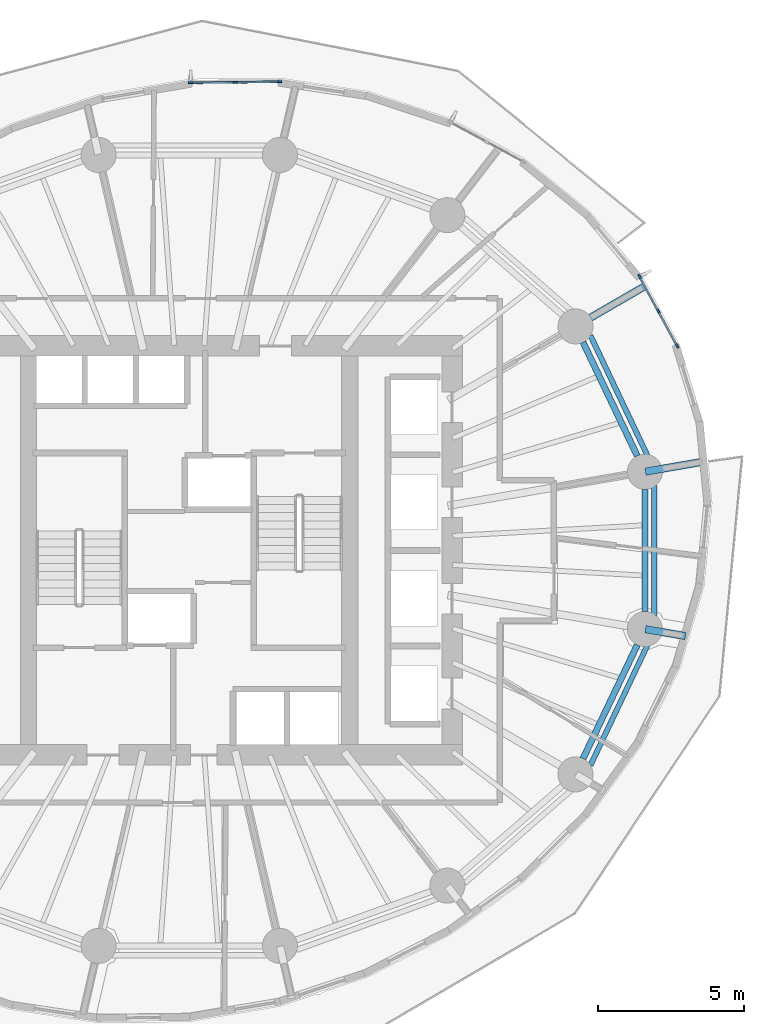
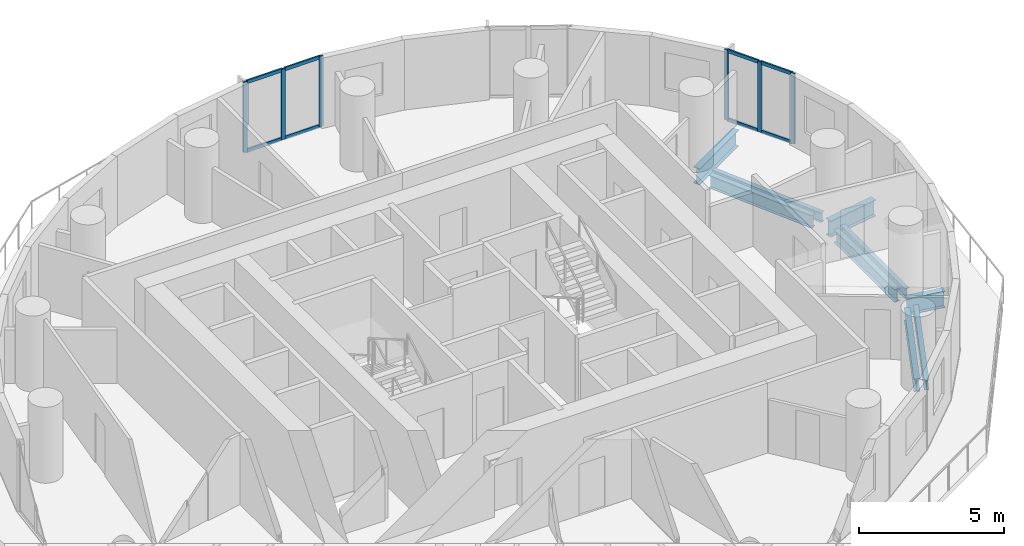
# One storey, part 5 of 14: 14 members, 9 beams, 2 elements without a shape of their own.
"""IFC4 building model written with IfcOpenShell, lengths in metres."""

from ifc_helpers import new_model, si_unit, direction, frame, origin, origin_2d, place, context, subcontext, project, spatial, rectangle, i_section, extrude, material, material_profile, profile_set, type_object, element, aggregate, save


model = new_model("IFC4")

# Units and contexts
model_context = context("Model", 3, precision=1e-05, world=origin(), true_north=direction((0.0, 1.0)))
body_context = subcontext(model_context, "Body", "Model", "MODEL_VIEW")
ifc_project = project(units=[si_unit("LENGTHUNIT", "METRE"), si_unit("AREAUNIT", "SQUARE_METRE"), si_unit("VOLUMEUNIT", "CUBIC_METRE"), si_unit("PLANEANGLEUNIT", "RADIAN"), si_unit("MASSUNIT", "GRAM", prefix="KILO")], contexts=[model_context])

# Site, building, storey
site_placement = place(None, origin())
site = spatial("IfcSite", under=ifc_project, at=site_placement, CompositionType="ELEMENT")
building_placement = place(site_placement, origin())
building = spatial("IfcBuilding", under=site, at=building_placement, Name="Veldorim Arch Residences", CompositionType="ELEMENT")
storey_placement = place(building_placement, frame((0.0, 0.0, 99.679931640625)))
storey = spatial("IfcBuildingStorey", under=building, at=storey_placement, Name="L29", CompositionType="ELEMENT", Elevation=99.679931640625)

# Beams
ifc_material_1 = material(Name="Steel S355", Category="steel")
ifc_material_profile_1 = material_profile(ifc_material_1, i_section(OverallWidth=0.2119140625, OverallDepth=0.54443359375, WebThickness=0.0126953125, FlangeThickness=0.021240234375, at=origin_2d()), Name="UB533x210x122")
ifc_profile_set_1 = profile_set([ifc_material_profile_1], Name="Steel S355")
beam_type_1 = type_object("IfcBeamType", Name="Structural Steel Beam UB533x210x122", PredefinedType="BEAM", material=ifc_profile_set_1)
for number, where, z_axis, x_axis, name in (
    (1, (47.336181640625, 27.233642578125, -0.51220703125), (-0.430720154476, 0.902485539235, 0.0), (-0.902485539235, -0.430720154476, 0.0), "L29 perimeter ring tie beam 01"),
    (2, (45.478759765625, 16.87451171875, -0.51220703125), (0.430720154476, 0.902485539235, 0.0), (-0.902485539235, 0.430720154476, 0.0), "L29 perimeter ring tie beam 15"),
):
    element("IfcBeam", number, at=place(storey_placement, frame(where, z_axis=z_axis, x_axis=x_axis)), inside=storey, type_object=beam_type_1, Name=name, PredefinedType="BEAM", context=body_context, shape_type="SweptSolid", body=[
        extrude(i_section(OverallWidth=0.2119140625, OverallDepth=0.54443359375, WebThickness=0.0126953125, FlangeThickness=0.021240234375, at=origin_2d()), origin(), (0.0, 0.0, 1.0), 4.312255859375),
    ])
beam_1_placement = place(storey_placement, frame((47.594482421875, 21.90771484375, -0.51220703125), z_axis=(0.0, 1.0, 0.0), x_axis=(-1.0, 0.0, 0.0)))
element("IfcBeam", 3, at=beam_1_placement, inside=storey, type_object=beam_type_1, Name="L29 perimeter ring tie beam 16", PredefinedType="BEAM", context=body_context, shape_type="SweptSolid", body=[
    extrude(i_section(OverallWidth=0.2119140625, OverallDepth=0.54443359375, WebThickness=0.0126953125, FlangeThickness=0.021240234375, at=origin_2d()), origin(), (0.0, 0.0, 1.0), 4.1845703125),
])
ifc_material_2 = material(Name="Steel S355", Category="steel")
ifc_material_profile_2 = material_profile(ifc_material_2, i_section(OverallWidth=0.25439453125, OverallDepth=0.6875, WebThickness=0.01318359375, FlangeThickness=0.02099609375, at=origin_2d()), Name="UB686x254x152")
ifc_profile_set_2 = profile_set([ifc_material_profile_2], Name="Steel S355")
beam_type_2 = type_object("IfcBeamType", Name="Structural Steel GIRDER UB686x254x152", PredefinedType="USERDEFINED", material=ifc_profile_set_2)
beam_2_placement = place(storey_placement, frame((47.6142578125, 26.695556640625, -0.583740234375), z_axis=(0.985413092061, 0.170179428821, 0.0), x_axis=(-0.170179428821, 0.985413092061, 0.0)))
element("IfcBeam", 4, at=beam_2_placement, inside=storey, type_object=beam_type_2, Name="L29 radial edge cantilever girder 01", ObjectType="GIRDER", PredefinedType="USERDEFINED", context=body_context, shape_type="SweptSolid", body=[
    extrude(i_section(OverallWidth=0.25439453125, OverallDepth=0.6875, WebThickness=0.01318359375, FlangeThickness=0.02099609375, at=origin_2d()), origin(), (0.0, 0.0, 1.0), 2.0400390625),
])
beam_3_placement = place(storey_placement, frame((45.23779296875, 31.677001953125, -0.583740234375), z_axis=(0.865074923998, 0.50164267748, 0.0), x_axis=(-0.50164267748, 0.865074923998, 0.0)))
element("IfcBeam", 5, at=beam_3_placement, inside=storey, type_object=beam_type_2, Name="L29 radial edge cantilever girder 02", ObjectType="GIRDER", PredefinedType="USERDEFINED", context=body_context, shape_type="SweptSolid", body=[
    extrude(i_section(OverallWidth=0.25439453125, OverallDepth=0.6875, WebThickness=0.01318359375, FlangeThickness=0.02099609375, at=origin_2d()), origin(), (0.0, 0.0, 1.0), 2.713134765625),
])
beam_4_placement = place(storey_placement, frame((47.6142578125, 21.304443359375, -0.583740234375), z_axis=(0.985409418186, -0.170200700791, 0.0), x_axis=(0.170200700791, 0.985409418186, 0.0)))
element("IfcBeam", 6, at=beam_4_placement, inside=storey, type_object=beam_type_2, Name="L29 radial edge cantilever girder 16", ObjectType="GIRDER", PredefinedType="USERDEFINED", context=body_context, shape_type="SweptSolid", body=[
    extrude(i_section(OverallWidth=0.25439453125, OverallDepth=0.6875, WebThickness=0.01318359375, FlangeThickness=0.02099609375, at=origin_2d()), origin(), (0.0, 0.0, 1.0), 1.391357421875),
])
ifc_material_3 = material(Name="Steel S355", Category="steel")
ifc_material_profile_3 = material_profile(ifc_material_3, i_section(OverallWidth=0.1787109375, OverallDepth=0.409423828125, WebThickness=0.0087890625, FlangeThickness=0.014404296875, at=origin_2d()), Name="UB406x178x67")
ifc_profile_set_3 = profile_set([ifc_material_profile_3], Name="Steel S355")
beam_type_3 = type_object("IfcBeamType", Name="Structural Steel Spandrel UB406x178x67", PredefinedType="SPANDREL", material=ifc_profile_set_3)
for number, where, z_axis, x_axis, name in (
    (7, (47.693115234375, 27.225341796875, -0.464599609375), (-0.428857472204, 0.903372165021, 0.0), (-0.903372165021, -0.428857472204, 0.0), "L29 perimeter chord spandrel beam 01"),
    (8, (45.732421875, 16.64453125, -0.464599609375), (0.428857472204, 0.903372165021, 0.0), (-0.903372165021, 0.428857472204, 0.0), "L29 perimeter chord spandrel beam 15"),
):
    element("IfcBeam", number, at=place(storey_placement, frame(where, z_axis=z_axis, x_axis=x_axis)), inside=storey, type_object=beam_type_3, Name=name, PredefinedType="SPANDREL", context=body_context, shape_type="SweptSolid", body=[
        extrude(i_section(OverallWidth=0.1787109375, OverallDepth=0.409423828125, WebThickness=0.0087890625, FlangeThickness=0.014404296875, at=origin_2d()), origin(), (0.0, 0.0, 1.0), 4.572021484375),
    ])
beam_5_placement = place(storey_placement, frame((47.919677734375, 21.77978515625, -0.464599609375), z_axis=(0.0, 1.0, 0.0), x_axis=(-1.0, 0.0, 0.0)))
element("IfcBeam", 9, at=beam_5_placement, inside=storey, type_object=beam_type_3, Name="L29 perimeter chord spandrel beam 16", PredefinedType="SPANDREL", context=body_context, shape_type="SweptSolid", body=[
    extrude(i_section(OverallWidth=0.1787109375, OverallDepth=0.409423828125, WebThickness=0.0087890625, FlangeThickness=0.014404296875, at=origin_2d()), origin(), (0.0, 0.0, 1.0), 4.4404296875),
])

# Curtain wall, members
ifc_material_4 = material(Name="Aluminium", Category="aluminium")
curtain_wall_type = type_object("IfcCurtainWallType", Name="Zone 2 Solar-Control Unitised Curtain Wall", PredefinedType="NOTDEFINED", material=ifc_material_4)
curtain_wall_1_placement = place(storey_placement, origin())
curtain_wall_1 = element("IfcCurtainWall", 10, at=curtain_wall_1_placement, inside=storey, type_object=curtain_wall_type, Name="L29 unitised curtain wall bay 01", PredefinedType="NOTDEFINED")
ifc_material_5 = material(Name="Aluminium", Category="aluminium")
ifc_material_profile_4 = material_profile(ifc_material_5, rectangle(XDim=0.06494140625, YDim=0.1650390625, at=origin_2d()), Name="ALU_MUL_65x165")
ifc_profile_set_4 = profile_set([ifc_material_profile_4], Name="Aluminium")
member_type_1 = type_object("IfcMemberType", Name="Zone 2 Solar-Control Unitised Curtain Wall Mullion 65x165", PredefinedType="MULLION", material=ifc_profile_set_4)
member_1_placement = place(storey_placement, frame((47.416015625, 33.37109375, 0.0), z_axis=(0.0, 0.0, 1.0), x_axis=(0.87936599291, 0.4761464591, 0.0)))
member_1 = element("IfcMember", 11, at=member_1_placement, type_object=member_type_1, Name="CW-Z2 mullion 1", PredefinedType="MULLION", context=body_context, shape_type="SweptSolid", body=[
    extrude(rectangle(XDim=0.06494140625, YDim=0.1650390625, at=origin_2d()), origin(), (0.0, 0.0, 1.0), 2.9599609375),
])
member_2_placement = place(storey_placement, frame((48.056884765625, 32.187255859375, 0.0), z_axis=(0.0, 0.0, 1.0), x_axis=(0.87936599291, 0.4761464591, 0.0)))
member_2 = element("IfcMember", 12, at=member_2_placement, type_object=member_type_1, Name="CW-Z2 mullion 2", PredefinedType="MULLION", context=body_context, shape_type="SweptSolid", body=[
    extrude(rectangle(XDim=0.06494140625, YDim=0.1650390625, at=origin_2d()), origin(), (0.0, 0.0, 1.0), 2.9599609375),
])
member_3_placement = place(storey_placement, frame((48.697998046875, 31.003173828125, 0.0), z_axis=(0.0, 0.0, 1.0), x_axis=(0.87936599291, 0.4761464591, 0.0)))
member_3 = element("IfcMember", 13, at=member_3_placement, type_object=member_type_1, Name="CW-Z2 mullion 3", PredefinedType="MULLION", context=body_context, shape_type="SweptSolid", body=[
    extrude(rectangle(XDim=0.06494140625, YDim=0.1650390625, at=origin_2d()), origin(), (0.0, 0.0, 1.0), 2.9599609375),
])

curtain_wall_2_placement = place(storey_placement, origin())
curtain_wall_2 = element("IfcCurtainWall", 14, at=curtain_wall_2_placement, inside=storey, type_object=curtain_wall_type, Name="L29 unitised curtain wall bay 07", PredefinedType="NOTDEFINED")
member_4_placement = place(storey_placement, frame((32.052001953125, 40.009521484375, 0.0), z_axis=(0.0, 0.0, 1.0), x_axis=(-0.01118671332, 0.999937426765, 0.0)))
member_4 = element("IfcMember", 15, at=member_4_placement, type_object=member_type_1, Name="CW-Z2 mullion 1", PredefinedType="MULLION", context=body_context, shape_type="SweptSolid", body=[
    extrude(rectangle(XDim=0.06494140625, YDim=0.1650390625, at=origin_2d()), origin(), (0.0, 0.0, 1.0), 2.9599609375),
])
member_5_placement = place(storey_placement, frame((33.570556640625, 40.026611328125, 0.0), z_axis=(0.0, 0.0, 1.0), x_axis=(-0.01118671332, 0.999937426765, 0.0)))
member_5 = element("IfcMember", 16, at=member_5_placement, type_object=member_type_1, Name="CW-Z2 mullion 2", PredefinedType="MULLION", context=body_context, shape_type="SweptSolid", body=[
    extrude(rectangle(XDim=0.06494140625, YDim=0.1650390625, at=origin_2d()), origin(), (0.0, 0.0, 1.0), 2.9599609375),
])
member_6_placement = place(storey_placement, frame((35.0888671875, 40.04345703125, 0.0), z_axis=(0.0, 0.0, 1.0), x_axis=(-0.01118671332, 0.999937426765, 0.0)))
member_6 = element("IfcMember", 17, at=member_6_placement, type_object=member_type_1, Name="CW-Z2 mullion 3", PredefinedType="MULLION", context=body_context, shape_type="SweptSolid", body=[
    extrude(rectangle(XDim=0.06494140625, YDim=0.1650390625, at=origin_2d()), origin(), (0.0, 0.0, 1.0), 2.9599609375),
])

# Member
ifc_material_6 = material(Name="Aluminium", Category="aluminium")
ifc_material_profile_5 = material_profile(ifc_material_6, rectangle(XDim=0.06494140625, YDim=0.14501953125, at=origin_2d()), Name="ALU_TRN_65x145")
ifc_profile_set_5 = profile_set([ifc_material_profile_5], Name="Aluminium")
member_type_2 = type_object("IfcMemberType", Name="Zone 2 Solar-Control Unitised Curtain Wall Transom 65x145", PredefinedType="USERDEFINED", material=ifc_profile_set_5)
member_7_placement = place(storey_placement, frame((47.431396484375, 33.342529296875, 0.032470703125), z_axis=(0.476166516797, -0.879355132061, 0.0), x_axis=(0.879355132061, 0.476166516797, 0.0)))
member_7 = element("IfcMember", 18, at=member_7_placement, type_object=member_type_2, Name="CW-Z2 transom 1.1", ObjectType="TRANSOM", PredefinedType="USERDEFINED", context=body_context, shape_type="SweptSolid", body=[
    extrude(rectangle(XDim=0.06494140625, YDim=0.14501953125, at=origin_2d()), origin(), (0.0, 0.0, 1.0), 1.28125),
])

member_8_placement = place(storey_placement, frame((47.431396484375, 33.342529296875, 2.927490234375), z_axis=(0.476166516797, -0.879355132061, 0.0), x_axis=(0.879355132061, 0.476166516797, 0.0)))
member_8 = element("IfcMember", 19, at=member_8_placement, type_object=member_type_2, Name="CW-Z2 transom 1.2", ObjectType="TRANSOM", PredefinedType="USERDEFINED", context=body_context, shape_type="SweptSolid", body=[
    extrude(rectangle(XDim=0.06494140625, YDim=0.14501953125, at=origin_2d()), origin(), (0.0, 0.0, 1.0), 1.28125),
])

member_9_placement = place(storey_placement, frame((48.072509765625, 32.15869140625, 0.032470703125), z_axis=(0.476086744214, -0.879398323846, 0.0), x_axis=(0.879398323846, 0.476086744214, 0.0)))
member_9 = element("IfcMember", 20, at=member_9_placement, type_object=member_type_2, Name="CW-Z2 transom 2.1", ObjectType="TRANSOM", PredefinedType="USERDEFINED", context=body_context, shape_type="SweptSolid", body=[
    extrude(rectangle(XDim=0.06494140625, YDim=0.14501953125, at=origin_2d()), origin(), (0.0, 0.0, 1.0), 1.281494140625),
])

member_10_placement = place(storey_placement, frame((48.072509765625, 32.15869140625, 2.927490234375), z_axis=(0.476086744214, -0.879398323846, 0.0), x_axis=(0.879398323846, 0.476086744214, 0.0)))
member_10 = element("IfcMember", 21, at=member_10_placement, type_object=member_type_2, Name="CW-Z2 transom 2.2", ObjectType="TRANSOM", PredefinedType="USERDEFINED", context=body_context, shape_type="SweptSolid", body=[
    extrude(rectangle(XDim=0.06494140625, YDim=0.14501953125, at=origin_2d()), origin(), (0.0, 0.0, 1.0), 1.281494140625),
])

aggregate(curtain_wall_1, [member_1, member_2, member_3, member_7, member_8, member_9, member_10])

member_11_placement = place(storey_placement, frame((32.084716796875, 40.010009765625, 0.032470703125), z_axis=(0.999938525928, 0.011088028009, 0.0), x_axis=(-0.011088028009, 0.999938525928, 0.0)))
member_11 = element("IfcMember", 22, at=member_11_placement, type_object=member_type_2, Name="CW-Z2 transom 1.1", ObjectType="TRANSOM", PredefinedType="USERDEFINED", context=body_context, shape_type="SweptSolid", body=[
    extrude(rectangle(XDim=0.06494140625, YDim=0.14501953125, at=origin_2d()), origin(), (0.0, 0.0, 1.0), 1.453125),
])

member_12_placement = place(storey_placement, frame((32.084716796875, 40.010009765625, 2.927490234375), z_axis=(0.999938525928, 0.011088028009, 0.0), x_axis=(-0.011088028009, 0.999938525928, 0.0)))
member_12 = element("IfcMember", 23, at=member_12_placement, type_object=member_type_2, Name="CW-Z2 transom 1.2", ObjectType="TRANSOM", PredefinedType="USERDEFINED", context=body_context, shape_type="SweptSolid", body=[
    extrude(rectangle(XDim=0.06494140625, YDim=0.14501953125, at=origin_2d()), origin(), (0.0, 0.0, 1.0), 1.453125),
])

member_13_placement = place(storey_placement, frame((33.60302734375, 40.02685546875, 0.032470703125), z_axis=(0.999936670423, 0.011254116734, 0.0), x_axis=(-0.011254116734, 0.999936670423, 0.0)))
member_13 = element("IfcMember", 24, at=member_13_placement, type_object=member_type_2, Name="CW-Z2 transom 2.1", ObjectType="TRANSOM", PredefinedType="USERDEFINED", context=body_context, shape_type="SweptSolid", body=[
    extrude(rectangle(XDim=0.06494140625, YDim=0.14501953125, at=origin_2d()), origin(), (0.0, 0.0, 1.0), 1.453369140625),
])

member_14_placement = place(storey_placement, frame((33.60302734375, 40.02685546875, 2.927490234375), z_axis=(0.999936670423, 0.011254116734, 0.0), x_axis=(-0.011254116734, 0.999936670423, 0.0)))
member_14 = element("IfcMember", 25, at=member_14_placement, type_object=member_type_2, Name="CW-Z2 transom 2.2", ObjectType="TRANSOM", PredefinedType="USERDEFINED", context=body_context, shape_type="SweptSolid", body=[
    extrude(rectangle(XDim=0.06494140625, YDim=0.14501953125, at=origin_2d()), origin(), (0.0, 0.0, 1.0), 1.453369140625),
])

aggregate(curtain_wall_2, [member_4, member_5, member_6, member_11, member_12, member_13, member_14])

save(model, "model.ifc")
